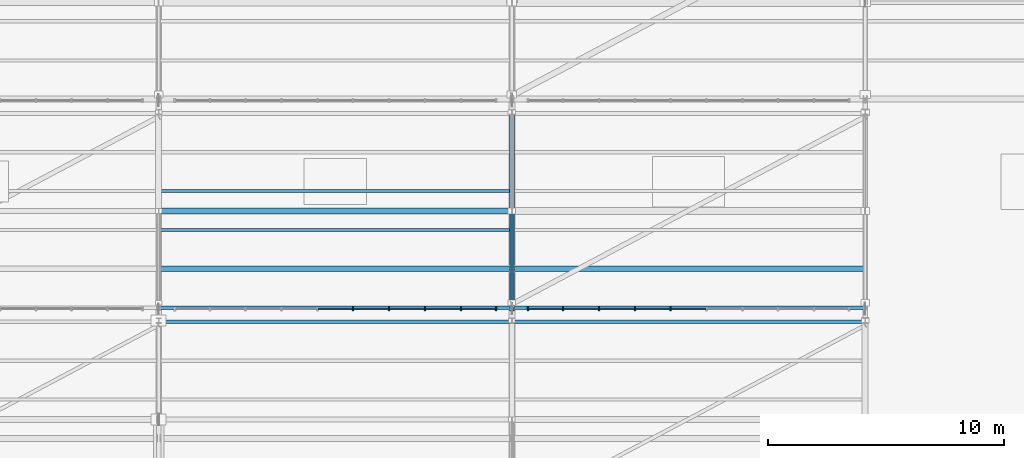
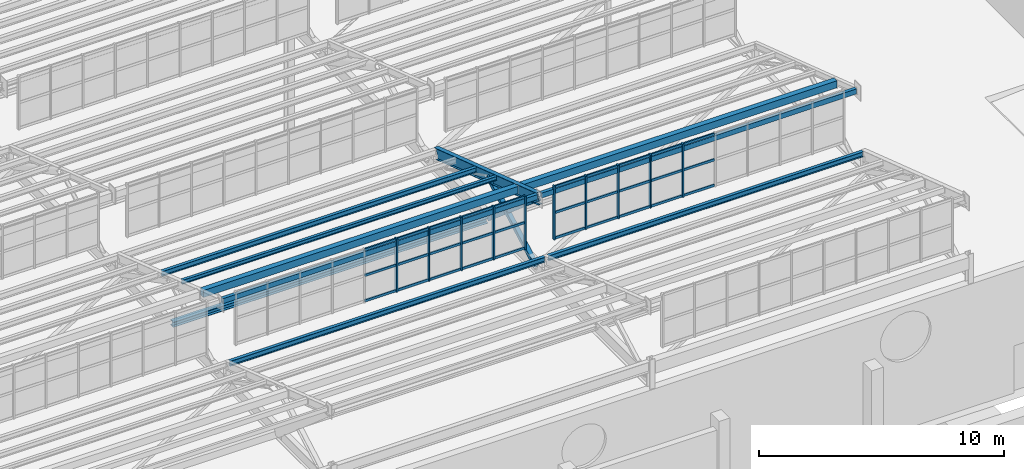
# One storey, part 86 of 285: 43 members, 9 beams, 2 elements without a shape of their own.
"""IFC4 building model written with IfcOpenShell, lengths in metres."""

from ifc_helpers import new_model, si_unit, direction, frame, origin, origin_2d, place, context, subcontext, project, spatial, rectangle, hollow_rectangle, i_section, extrude, material, material_profile, profile_set, type_object, element, aggregate, save


model = new_model("IFC4")

# Units and contexts
model_context = context("Model", 3, precision=1e-05, world=origin(), true_north=direction((0.0, 1.0)))
body_context = subcontext(model_context, "Body", "Model", "MODEL_VIEW")
ifc_project = project(units=[si_unit("LENGTHUNIT", "METRE"), si_unit("AREAUNIT", "SQUARE_METRE"), si_unit("VOLUMEUNIT", "CUBIC_METRE"), si_unit("PLANEANGLEUNIT", "RADIAN"), si_unit("MASSUNIT", "GRAM", prefix="KILO")], contexts=[model_context])

# Site, building, storey
site_placement = place(None, origin())
site = spatial("IfcSite", under=ifc_project, at=site_placement, CompositionType="ELEMENT")
building_placement = place(site_placement, origin())
building = spatial("IfcBuilding", under=site, at=building_placement, Name="Solanera Park Tramway Depot", CompositionType="ELEMENT")
storey_placement = place(building_placement, origin())
storey = spatial("IfcBuildingStorey", under=building, at=storey_placement, Name="L00", CompositionType="ELEMENT", Elevation=0.0)

# Curtain wall, members
ifc_material_1 = material(Name="Bronze-anodised thermally broken aluminium curtain wall", Category="aluminium")
curtain_wall_type = type_object("IfcCurtainWallType", Name="Sawtooth Clerestory Monitor Curtain Wall", PredefinedType="NOTDEFINED", material=ifc_material_1)
curtain_wall_1_placement = place(storey_placement, origin())
curtain_wall_1 = element("IfcCurtainWall", 1, at=curtain_wall_1_placement, inside=storey, type_object=curtain_wall_type, Name="L00 Sawtooth Clerestory Monitor Curtain Wall #010", PredefinedType="NOTDEFINED")
ifc_material_2 = material(Name="Bronze-anodised structural aluminium 6063-T6", Category="aluminium")
ifc_material_profile_1 = material_profile(ifc_material_2, rectangle(XDim=0.06494140625, YDim=0.14990234375, at=origin_2d()), Name="Curtain Wall Mullion 65x150")
ifc_profile_set_1 = profile_set([ifc_material_profile_1], Name="Bronze-anodised structural aluminium 6063-T6")
member_type_1 = type_object("IfcMemberType", Name="Curtain Wall Mullion 65x150", PredefinedType="MULLION", material=ifc_profile_set_1)
member_1_placement = place(storey_placement, frame((113.260986328125, 64.60009765625, 7.75), z_axis=(0.0, 0.0, 1.0), x_axis=(1.0, 0.0, 0.0)))
member_1 = element("IfcMember", 2, at=member_1_placement, type_object=member_type_1, Name="CW-L00-010 Mullion 6", PredefinedType="MULLION", context=body_context, shape_type="SweptSolid", body=[
    extrude(rectangle(XDim=0.06494140625, YDim=0.14990234375, at=origin_2d()), origin(), (0.0, 0.0, 1.0), 2.6611328125),
])
member_2_placement = place(storey_placement, frame((114.783203125, 64.60009765625, 7.75), z_axis=(0.0, 0.0, 1.0), x_axis=(1.0, 0.0, 0.0)))
member_2 = element("IfcMember", 3, at=member_2_placement, type_object=member_type_1, Name="CW-L00-010 Mullion 7", PredefinedType="MULLION", context=body_context, shape_type="SweptSolid", body=[
    extrude(rectangle(XDim=0.06494140625, YDim=0.14990234375, at=origin_2d()), origin(), (0.0, 0.0, 1.0), 2.6611328125),
])
member_3_placement = place(storey_placement, frame((116.3056640625, 64.60009765625, 7.75), z_axis=(0.0, 0.0, 1.0), x_axis=(1.0, 0.0, 0.0)))
member_3 = element("IfcMember", 4, at=member_3_placement, type_object=member_type_1, Name="CW-L00-010 Mullion 8", PredefinedType="MULLION", context=body_context, shape_type="SweptSolid", body=[
    extrude(rectangle(XDim=0.06494140625, YDim=0.14990234375, at=origin_2d()), origin(), (0.0, 0.0, 1.0), 2.6611328125),
])
member_4_placement = place(storey_placement, frame((117.827880859375, 64.60009765625, 7.75), z_axis=(0.0, 0.0, 1.0), x_axis=(1.0, 0.0, 0.0)))
member_4 = element("IfcMember", 5, at=member_4_placement, type_object=member_type_1, Name="CW-L00-010 Mullion 9", PredefinedType="MULLION", context=body_context, shape_type="SweptSolid", body=[
    extrude(rectangle(XDim=0.06494140625, YDim=0.14990234375, at=origin_2d()), origin(), (0.0, 0.0, 1.0), 2.6611328125),
])
member_5_placement = place(storey_placement, frame((119.3173828125, 64.60009765625, 7.75), z_axis=(0.0, 0.0, 1.0), x_axis=(1.0, 0.0, 0.0)))
member_5 = element("IfcMember", 6, at=member_5_placement, type_object=member_type_1, Name="CW-L00-010 Mullion 10", PredefinedType="MULLION", context=body_context, shape_type="SweptSolid", body=[
    extrude(rectangle(XDim=0.06494140625, YDim=0.14990234375, at=origin_2d()), origin(), (0.0, 0.0, 1.0), 2.6611328125),
])

curtain_wall_2_placement = place(storey_placement, origin())
curtain_wall_2 = element("IfcCurtainWall", 7, at=curtain_wall_2_placement, inside=storey, type_object=curtain_wall_type, Name="L00 Sawtooth Clerestory Monitor Curtain Wall #011", PredefinedType="NOTDEFINED")
member_6_placement = place(storey_placement, frame((120.6826171875, 64.60009765625, 7.75), z_axis=(0.0, 0.0, 1.0), x_axis=(1.0, 0.0, 0.0)))
member_6 = element("IfcMember", 8, at=member_6_placement, type_object=member_type_1, Name="CW-L00-011 Mullion 1", PredefinedType="MULLION", context=body_context, shape_type="SweptSolid", body=[
    extrude(rectangle(XDim=0.06494140625, YDim=0.14990234375, at=origin_2d()), origin(), (0.0, 0.0, 1.0), 2.6611328125),
])
member_7_placement = place(storey_placement, frame((122.172119140625, 64.60009765625, 7.75), z_axis=(0.0, 0.0, 1.0), x_axis=(1.0, 0.0, 0.0)))
member_7 = element("IfcMember", 9, at=member_7_placement, type_object=member_type_1, Name="CW-L00-011 Mullion 2", PredefinedType="MULLION", context=body_context, shape_type="SweptSolid", body=[
    extrude(rectangle(XDim=0.06494140625, YDim=0.14990234375, at=origin_2d()), origin(), (0.0, 0.0, 1.0), 2.6611328125),
])
member_8_placement = place(storey_placement, frame((123.6943359375, 64.60009765625, 7.75), z_axis=(0.0, 0.0, 1.0), x_axis=(1.0, 0.0, 0.0)))
member_8 = element("IfcMember", 10, at=member_8_placement, type_object=member_type_1, Name="CW-L00-011 Mullion 3", PredefinedType="MULLION", context=body_context, shape_type="SweptSolid", body=[
    extrude(rectangle(XDim=0.06494140625, YDim=0.14990234375, at=origin_2d()), origin(), (0.0, 0.0, 1.0), 2.6611328125),
])
member_9_placement = place(storey_placement, frame((125.216796875, 64.60009765625, 7.75), z_axis=(0.0, 0.0, 1.0), x_axis=(1.0, 0.0, 0.0)))
member_9 = element("IfcMember", 11, at=member_9_placement, type_object=member_type_1, Name="CW-L00-011 Mullion 4", PredefinedType="MULLION", context=body_context, shape_type="SweptSolid", body=[
    extrude(rectangle(XDim=0.06494140625, YDim=0.14990234375, at=origin_2d()), origin(), (0.0, 0.0, 1.0), 2.6611328125),
])
member_10_placement = place(storey_placement, frame((126.739013671875, 64.60009765625, 7.75), z_axis=(0.0, 0.0, 1.0), x_axis=(1.0, 0.0, 0.0)))
member_10 = element("IfcMember", 12, at=member_10_placement, type_object=member_type_1, Name="CW-L00-011 Mullion 5", PredefinedType="MULLION", context=body_context, shape_type="SweptSolid", body=[
    extrude(rectangle(XDim=0.06494140625, YDim=0.14990234375, at=origin_2d()), origin(), (0.0, 0.0, 1.0), 2.6611328125),
])

# Member
ifc_material_3 = material(Name="Bronze-anodised structural aluminium 6063-T6", Category="aluminium")
ifc_material_profile_2 = material_profile(ifc_material_3, rectangle(XDim=0.06494140625, YDim=0.1201171875, at=origin_2d()), Name="Curtain Wall Transom 65x120")
ifc_profile_set_2 = profile_set([ifc_material_profile_2], Name="Bronze-anodised structural aluminium 6063-T6")
member_type_2 = type_object("IfcMemberType", Name="Curtain Wall Transom 65x120", PredefinedType="USERDEFINED", material=ifc_profile_set_2)
member_11_placement = place(storey_placement, frame((111.766845703125, 64.60009765625, 7.81005859375), z_axis=(1.0, 0.0, 0.0), x_axis=(0.0, 1.0, 0.0)))
member_11 = element("IfcMember", 13, at=member_11_placement, type_object=member_type_2, Name="CW-L00-010 Transom R1.C5", ObjectType="TRANSOM", PredefinedType="USERDEFINED", context=body_context, shape_type="SweptSolid", body=[
    extrude(rectangle(XDim=0.06494140625, YDim=0.1201171875, at=origin_2d()), origin(), (0.0, 0.0, 1.0), 1.46630859375),
])

member_12_placement = place(storey_placement, frame((113.2890625, 64.60009765625, 7.81005859375), z_axis=(1.0, 0.0, 0.0), x_axis=(0.0, 1.0, 0.0)))
member_12 = element("IfcMember", 14, at=member_12_placement, type_object=member_type_2, Name="CW-L00-010 Transom R1.C6", ObjectType="TRANSOM", PredefinedType="USERDEFINED", context=body_context, shape_type="SweptSolid", body=[
    extrude(rectangle(XDim=0.06494140625, YDim=0.1201171875, at=origin_2d()), origin(), (0.0, 0.0, 1.0), 1.46630859375),
])

member_13_placement = place(storey_placement, frame((114.811279296875, 64.60009765625, 7.81005859375), z_axis=(1.0, 0.0, 0.0), x_axis=(0.0, 1.0, 0.0)))
member_13 = element("IfcMember", 15, at=member_13_placement, type_object=member_type_2, Name="CW-L00-010 Transom R1.C7", ObjectType="TRANSOM", PredefinedType="USERDEFINED", context=body_context, shape_type="SweptSolid", body=[
    extrude(rectangle(XDim=0.06494140625, YDim=0.1201171875, at=origin_2d()), origin(), (0.0, 0.0, 1.0), 1.46630859375),
])

member_14_placement = place(storey_placement, frame((116.33349609375, 64.60009765625, 7.81005859375), z_axis=(1.0, 0.0, 0.0), x_axis=(0.0, 1.0, 0.0)))
member_14 = element("IfcMember", 16, at=member_14_placement, type_object=member_type_2, Name="CW-L00-010 Transom R1.C8", ObjectType="TRANSOM", PredefinedType="USERDEFINED", context=body_context, shape_type="SweptSolid", body=[
    extrude(rectangle(XDim=0.06494140625, YDim=0.1201171875, at=origin_2d()), origin(), (0.0, 0.0, 1.0), 1.46630859375),
])

member_15_placement = place(storey_placement, frame((117.855712890625, 64.60009765625, 7.81005859375), z_axis=(1.0, 0.0, 0.0), x_axis=(0.0, 1.0, 0.0)))
member_15 = element("IfcMember", 17, at=member_15_placement, type_object=member_type_2, Name="CW-L00-010 Transom R1.C9", ObjectType="TRANSOM", PredefinedType="USERDEFINED", context=body_context, shape_type="SweptSolid", body=[
    extrude(rectangle(XDim=0.06494140625, YDim=0.1201171875, at=origin_2d()), origin(), (0.0, 0.0, 1.0), 1.433837890625),
])

member_16_placement = place(storey_placement, frame((111.766845703125, 64.60009765625, 9.08056640625), z_axis=(1.0, 0.0, 0.0), x_axis=(0.0, 1.0, 0.0)))
member_16 = element("IfcMember", 18, at=member_16_placement, type_object=member_type_2, Name="CW-L00-010 Transom R2.C5", ObjectType="TRANSOM", PredefinedType="USERDEFINED", context=body_context, shape_type="SweptSolid", body=[
    extrude(rectangle(XDim=0.06494140625, YDim=0.1201171875, at=origin_2d()), origin(), (0.0, 0.0, 1.0), 1.46630859375),
])

member_17_placement = place(storey_placement, frame((113.2890625, 64.60009765625, 9.08056640625), z_axis=(1.0, 0.0, 0.0), x_axis=(0.0, 1.0, 0.0)))
member_17 = element("IfcMember", 19, at=member_17_placement, type_object=member_type_2, Name="CW-L00-010 Transom R2.C6", ObjectType="TRANSOM", PredefinedType="USERDEFINED", context=body_context, shape_type="SweptSolid", body=[
    extrude(rectangle(XDim=0.06494140625, YDim=0.1201171875, at=origin_2d()), origin(), (0.0, 0.0, 1.0), 1.46630859375),
])

member_18_placement = place(storey_placement, frame((114.811279296875, 64.60009765625, 9.08056640625), z_axis=(1.0, 0.0, 0.0), x_axis=(0.0, 1.0, 0.0)))
member_18 = element("IfcMember", 20, at=member_18_placement, type_object=member_type_2, Name="CW-L00-010 Transom R2.C7", ObjectType="TRANSOM", PredefinedType="USERDEFINED", context=body_context, shape_type="SweptSolid", body=[
    extrude(rectangle(XDim=0.06494140625, YDim=0.1201171875, at=origin_2d()), origin(), (0.0, 0.0, 1.0), 1.46630859375),
])

member_19_placement = place(storey_placement, frame((116.33349609375, 64.60009765625, 9.08056640625), z_axis=(1.0, 0.0, 0.0), x_axis=(0.0, 1.0, 0.0)))
member_19 = element("IfcMember", 21, at=member_19_placement, type_object=member_type_2, Name="CW-L00-010 Transom R2.C8", ObjectType="TRANSOM", PredefinedType="USERDEFINED", context=body_context, shape_type="SweptSolid", body=[
    extrude(rectangle(XDim=0.06494140625, YDim=0.1201171875, at=origin_2d()), origin(), (0.0, 0.0, 1.0), 1.46630859375),
])

member_20_placement = place(storey_placement, frame((117.855712890625, 64.60009765625, 9.08056640625), z_axis=(1.0, 0.0, 0.0), x_axis=(0.0, 1.0, 0.0)))
member_20 = element("IfcMember", 22, at=member_20_placement, type_object=member_type_2, Name="CW-L00-010 Transom R2.C9", ObjectType="TRANSOM", PredefinedType="USERDEFINED", context=body_context, shape_type="SweptSolid", body=[
    extrude(rectangle(XDim=0.06494140625, YDim=0.1201171875, at=origin_2d()), origin(), (0.0, 0.0, 1.0), 1.433837890625),
])

member_21_placement = place(storey_placement, frame((111.766845703125, 64.60009765625, 10.351318359375), z_axis=(1.0, 0.0, 0.0), x_axis=(0.0, 1.0, 0.0)))
member_21 = element("IfcMember", 23, at=member_21_placement, type_object=member_type_2, Name="CW-L00-010 Transom R3.C5", ObjectType="TRANSOM", PredefinedType="USERDEFINED", context=body_context, shape_type="SweptSolid", body=[
    extrude(rectangle(XDim=0.06494140625, YDim=0.1201171875, at=origin_2d()), origin(), (0.0, 0.0, 1.0), 1.46630859375),
])

member_22_placement = place(storey_placement, frame((113.2890625, 64.60009765625, 10.351318359375), z_axis=(1.0, 0.0, 0.0), x_axis=(0.0, 1.0, 0.0)))
member_22 = element("IfcMember", 24, at=member_22_placement, type_object=member_type_2, Name="CW-L00-010 Transom R3.C6", ObjectType="TRANSOM", PredefinedType="USERDEFINED", context=body_context, shape_type="SweptSolid", body=[
    extrude(rectangle(XDim=0.06494140625, YDim=0.1201171875, at=origin_2d()), origin(), (0.0, 0.0, 1.0), 1.46630859375),
])

member_23_placement = place(storey_placement, frame((114.811279296875, 64.60009765625, 10.351318359375), z_axis=(1.0, 0.0, 0.0), x_axis=(0.0, 1.0, 0.0)))
member_23 = element("IfcMember", 25, at=member_23_placement, type_object=member_type_2, Name="CW-L00-010 Transom R3.C7", ObjectType="TRANSOM", PredefinedType="USERDEFINED", context=body_context, shape_type="SweptSolid", body=[
    extrude(rectangle(XDim=0.06494140625, YDim=0.1201171875, at=origin_2d()), origin(), (0.0, 0.0, 1.0), 1.46630859375),
])

member_24_placement = place(storey_placement, frame((116.33349609375, 64.60009765625, 10.351318359375), z_axis=(1.0, 0.0, 0.0), x_axis=(0.0, 1.0, 0.0)))
member_24 = element("IfcMember", 26, at=member_24_placement, type_object=member_type_2, Name="CW-L00-010 Transom R3.C8", ObjectType="TRANSOM", PredefinedType="USERDEFINED", context=body_context, shape_type="SweptSolid", body=[
    extrude(rectangle(XDim=0.06494140625, YDim=0.1201171875, at=origin_2d()), origin(), (0.0, 0.0, 1.0), 1.46630859375),
])

member_25_placement = place(storey_placement, frame((117.855712890625, 64.60009765625, 10.351318359375), z_axis=(1.0, 0.0, 0.0), x_axis=(0.0, 1.0, 0.0)))
member_25 = element("IfcMember", 27, at=member_25_placement, type_object=member_type_2, Name="CW-L00-010 Transom R3.C9", ObjectType="TRANSOM", PredefinedType="USERDEFINED", context=body_context, shape_type="SweptSolid", body=[
    extrude(rectangle(XDim=0.06494140625, YDim=0.1201171875, at=origin_2d()), origin(), (0.0, 0.0, 1.0), 1.433837890625),
])

aggregate(curtain_wall_1, [member_1, member_2, member_3, member_4, member_5, member_11, member_12, member_13, member_14, member_15, member_16, member_17, member_18, member_19, member_20, member_21, member_22, member_23, member_24, member_25])

member_26_placement = place(storey_placement, frame((120.71044921875, 64.60009765625, 7.81005859375), z_axis=(1.0, 0.0, 0.0), x_axis=(0.0, 1.0, 0.0)))
member_26 = element("IfcMember", 28, at=member_26_placement, type_object=member_type_2, Name="CW-L00-011 Transom R1.C1", ObjectType="TRANSOM", PredefinedType="USERDEFINED", context=body_context, shape_type="SweptSolid", body=[
    extrude(rectangle(XDim=0.06494140625, YDim=0.1201171875, at=origin_2d()), origin(), (0.0, 0.0, 1.0), 1.433837890625),
])

member_27_placement = place(storey_placement, frame((122.2001953125, 64.60009765625, 7.81005859375), z_axis=(1.0, 0.0, 0.0), x_axis=(0.0, 1.0, 0.0)))
member_27 = element("IfcMember", 29, at=member_27_placement, type_object=member_type_2, Name="CW-L00-011 Transom R1.C2", ObjectType="TRANSOM", PredefinedType="USERDEFINED", context=body_context, shape_type="SweptSolid", body=[
    extrude(rectangle(XDim=0.06494140625, YDim=0.1201171875, at=origin_2d()), origin(), (0.0, 0.0, 1.0), 1.46630859375),
])

member_28_placement = place(storey_placement, frame((123.722412109375, 64.60009765625, 7.81005859375), z_axis=(1.0, 0.0, 0.0), x_axis=(0.0, 1.0, 0.0)))
member_28 = element("IfcMember", 30, at=member_28_placement, type_object=member_type_2, Name="CW-L00-011 Transom R1.C3", ObjectType="TRANSOM", PredefinedType="USERDEFINED", context=body_context, shape_type="SweptSolid", body=[
    extrude(rectangle(XDim=0.06494140625, YDim=0.1201171875, at=origin_2d()), origin(), (0.0, 0.0, 1.0), 1.46630859375),
])

member_29_placement = place(storey_placement, frame((125.24462890625, 64.60009765625, 7.81005859375), z_axis=(1.0, 0.0, 0.0), x_axis=(0.0, 1.0, 0.0)))
member_29 = element("IfcMember", 31, at=member_29_placement, type_object=member_type_2, Name="CW-L00-011 Transom R1.C4", ObjectType="TRANSOM", PredefinedType="USERDEFINED", context=body_context, shape_type="SweptSolid", body=[
    extrude(rectangle(XDim=0.06494140625, YDim=0.1201171875, at=origin_2d()), origin(), (0.0, 0.0, 1.0), 1.46630859375),
])

member_30_placement = place(storey_placement, frame((126.766845703125, 64.60009765625, 7.81005859375), z_axis=(1.0, 0.0, 0.0), x_axis=(0.0, 1.0, 0.0)))
member_30 = element("IfcMember", 32, at=member_30_placement, type_object=member_type_2, Name="CW-L00-011 Transom R1.C5", ObjectType="TRANSOM", PredefinedType="USERDEFINED", context=body_context, shape_type="SweptSolid", body=[
    extrude(rectangle(XDim=0.06494140625, YDim=0.1201171875, at=origin_2d()), origin(), (0.0, 0.0, 1.0), 1.46630859375),
])

member_31_placement = place(storey_placement, frame((120.71044921875, 64.60009765625, 9.08056640625), z_axis=(1.0, 0.0, 0.0), x_axis=(0.0, 1.0, 0.0)))
member_31 = element("IfcMember", 33, at=member_31_placement, type_object=member_type_2, Name="CW-L00-011 Transom R2.C1", ObjectType="TRANSOM", PredefinedType="USERDEFINED", context=body_context, shape_type="SweptSolid", body=[
    extrude(rectangle(XDim=0.06494140625, YDim=0.1201171875, at=origin_2d()), origin(), (0.0, 0.0, 1.0), 1.433837890625),
])

member_32_placement = place(storey_placement, frame((122.2001953125, 64.60009765625, 9.08056640625), z_axis=(1.0, 0.0, 0.0), x_axis=(0.0, 1.0, 0.0)))
member_32 = element("IfcMember", 34, at=member_32_placement, type_object=member_type_2, Name="CW-L00-011 Transom R2.C2", ObjectType="TRANSOM", PredefinedType="USERDEFINED", context=body_context, shape_type="SweptSolid", body=[
    extrude(rectangle(XDim=0.06494140625, YDim=0.1201171875, at=origin_2d()), origin(), (0.0, 0.0, 1.0), 1.46630859375),
])

member_33_placement = place(storey_placement, frame((123.722412109375, 64.60009765625, 9.08056640625), z_axis=(1.0, 0.0, 0.0), x_axis=(0.0, 1.0, 0.0)))
member_33 = element("IfcMember", 35, at=member_33_placement, type_object=member_type_2, Name="CW-L00-011 Transom R2.C3", ObjectType="TRANSOM", PredefinedType="USERDEFINED", context=body_context, shape_type="SweptSolid", body=[
    extrude(rectangle(XDim=0.06494140625, YDim=0.1201171875, at=origin_2d()), origin(), (0.0, 0.0, 1.0), 1.46630859375),
])

member_34_placement = place(storey_placement, frame((125.24462890625, 64.60009765625, 9.08056640625), z_axis=(1.0, 0.0, 0.0), x_axis=(0.0, 1.0, 0.0)))
member_34 = element("IfcMember", 36, at=member_34_placement, type_object=member_type_2, Name="CW-L00-011 Transom R2.C4", ObjectType="TRANSOM", PredefinedType="USERDEFINED", context=body_context, shape_type="SweptSolid", body=[
    extrude(rectangle(XDim=0.06494140625, YDim=0.1201171875, at=origin_2d()), origin(), (0.0, 0.0, 1.0), 1.46630859375),
])

member_35_placement = place(storey_placement, frame((126.766845703125, 64.60009765625, 9.08056640625), z_axis=(1.0, 0.0, 0.0), x_axis=(0.0, 1.0, 0.0)))
member_35 = element("IfcMember", 37, at=member_35_placement, type_object=member_type_2, Name="CW-L00-011 Transom R2.C5", ObjectType="TRANSOM", PredefinedType="USERDEFINED", context=body_context, shape_type="SweptSolid", body=[
    extrude(rectangle(XDim=0.06494140625, YDim=0.1201171875, at=origin_2d()), origin(), (0.0, 0.0, 1.0), 1.46630859375),
])

member_36_placement = place(storey_placement, frame((120.71044921875, 64.60009765625, 10.351318359375), z_axis=(1.0, 0.0, 0.0), x_axis=(0.0, 1.0, 0.0)))
member_36 = element("IfcMember", 38, at=member_36_placement, type_object=member_type_2, Name="CW-L00-011 Transom R3.C1", ObjectType="TRANSOM", PredefinedType="USERDEFINED", context=body_context, shape_type="SweptSolid", body=[
    extrude(rectangle(XDim=0.06494140625, YDim=0.1201171875, at=origin_2d()), origin(), (0.0, 0.0, 1.0), 1.433837890625),
])

member_37_placement = place(storey_placement, frame((122.2001953125, 64.60009765625, 10.351318359375), z_axis=(1.0, 0.0, 0.0), x_axis=(0.0, 1.0, 0.0)))
member_37 = element("IfcMember", 39, at=member_37_placement, type_object=member_type_2, Name="CW-L00-011 Transom R3.C2", ObjectType="TRANSOM", PredefinedType="USERDEFINED", context=body_context, shape_type="SweptSolid", body=[
    extrude(rectangle(XDim=0.06494140625, YDim=0.1201171875, at=origin_2d()), origin(), (0.0, 0.0, 1.0), 1.46630859375),
])

member_38_placement = place(storey_placement, frame((123.722412109375, 64.60009765625, 10.351318359375), z_axis=(1.0, 0.0, 0.0), x_axis=(0.0, 1.0, 0.0)))
member_38 = element("IfcMember", 40, at=member_38_placement, type_object=member_type_2, Name="CW-L00-011 Transom R3.C3", ObjectType="TRANSOM", PredefinedType="USERDEFINED", context=body_context, shape_type="SweptSolid", body=[
    extrude(rectangle(XDim=0.06494140625, YDim=0.1201171875, at=origin_2d()), origin(), (0.0, 0.0, 1.0), 1.46630859375),
])

member_39_placement = place(storey_placement, frame((125.24462890625, 64.60009765625, 10.351318359375), z_axis=(1.0, 0.0, 0.0), x_axis=(0.0, 1.0, 0.0)))
member_39 = element("IfcMember", 41, at=member_39_placement, type_object=member_type_2, Name="CW-L00-011 Transom R3.C4", ObjectType="TRANSOM", PredefinedType="USERDEFINED", context=body_context, shape_type="SweptSolid", body=[
    extrude(rectangle(XDim=0.06494140625, YDim=0.1201171875, at=origin_2d()), origin(), (0.0, 0.0, 1.0), 1.46630859375),
])

member_40_placement = place(storey_placement, frame((126.766845703125, 64.60009765625, 10.351318359375), z_axis=(1.0, 0.0, 0.0), x_axis=(0.0, 1.0, 0.0)))
member_40 = element("IfcMember", 42, at=member_40_placement, type_object=member_type_2, Name="CW-L00-011 Transom R3.C5", ObjectType="TRANSOM", PredefinedType="USERDEFINED", context=body_context, shape_type="SweptSolid", body=[
    extrude(rectangle(XDim=0.06494140625, YDim=0.1201171875, at=origin_2d()), origin(), (0.0, 0.0, 1.0), 1.46630859375),
])

aggregate(curtain_wall_2, [member_6, member_7, member_8, member_9, member_10, member_26, member_27, member_28, member_29, member_30, member_31, member_32, member_33, member_34, member_35, member_36, member_37, member_38, member_39, member_40])

# Members
ifc_material_4 = material(Name="Steel AS/NZS 1163 Grade C350L0", Category="steel")
ifc_material_profile_3 = material_profile(ifc_material_4, hollow_rectangle(XDim=0.199951171875, YDim=0.199951171875, WallThickness=0.008056640625, at=origin_2d()), Name="200x200x8.0 SHS")
ifc_profile_set_3 = profile_set([ifc_material_profile_3], Name="Steel AS/NZS 1163 Grade C350L0")
member_type_3 = type_object("IfcMemberType", Name="Roof Gantry Compression Strut 200x200x8.0 SHS", PredefinedType="STRUT", material=ifc_profile_set_3)
member_41_placement = place(storey_placement, frame((120.0, 64.85009765625, 6.5), z_axis=(0.0, 0.877666599941, 0.479271675929), x_axis=(-1.0, 0.0, 0.0)))
element("IfcMember", 43, at=member_41_placement, inside=storey, type_object=member_type_3, Name="Sawtooth ROOF TRUSS Strut 200x200x8.0 SHS #0069", PredefinedType="STRUT", context=body_context, shape_type="SweptSolid", body=[
    extrude(hollow_rectangle(XDim=0.199951171875, YDim=0.199951171875, WallThickness=0.008056640625, at=origin_2d()), origin(), (0.0, 0.0, 1.0), 4.443603515625),
])
ifc_material_5 = material(Name="Steel AS/NZS 3679.1 Grade 350", Category="steel")
ifc_material_profile_4 = material_profile(ifc_material_5, i_section(OverallWidth=0.25390625, OverallDepth=0.25390625, WebThickness=0.008544921875, FlangeThickness=0.01416015625, at=origin_2d()), Name="250UC72.9")
ifc_profile_set_4 = profile_set([ifc_material_profile_4], Name="Steel AS/NZS 3679.1 Grade 350")
member_type_4 = type_object("IfcMemberType", Name="Secondary Truss Chord 250UC72.9", PredefinedType="CHORD", material=ifc_profile_set_4)
member_42_placement = place(storey_placement, frame((105.087890625, 68.75, 6.5), z_axis=(1.0, 0.0, 0.0), x_axis=(0.0, 1.0, 0.0)))
element("IfcMember", 44, at=member_42_placement, inside=storey, type_object=member_type_4, Name="Sawtooth Longitudinal Tie Chord 250UC72.9 #0082", PredefinedType="CHORD", context=body_context, shape_type="SweptSolid", body=[
    extrude(i_section(OverallWidth=0.25390625, OverallDepth=0.25390625, WebThickness=0.008544921875, FlangeThickness=0.01416015625, at=origin_2d()), origin(), (0.0, 0.0, 1.0), 14.82421875),
])

# Beams
ifc_material_6 = material(Name="Steel AS/NZS 3679.1 Grade 350", Category="steel")
ifc_material_profile_5 = material_profile(ifc_material_6, i_section(OverallWidth=0.209228515625, OverallDepth=0.532958984375, WebThickness=0.01025390625, FlangeThickness=0.015625, at=origin_2d()), Name="530UB92.4")
ifc_profile_set_5 = profile_set([ifc_material_profile_5], Name="Steel AS/NZS 3679.1 Grade 350")
beam_type_1 = type_object("IfcBeamType", Name="Steel Beam 530UB92.4", PredefinedType="BEAM", material=ifc_profile_set_5)
beam_1_placement = place(storey_placement, frame((120.0, 64.60009765625, 10.018310546875), z_axis=(0.0, 0.948319437663, -0.317317261034), x_axis=(-1.0, 0.0, 0.0)))
element("IfcBeam", 45, at=beam_1_placement, inside=storey, type_object=beam_type_1, Name="Sawtooth ROOF TRUSS Top Rafter 530UB92.4 B02-T8", PredefinedType="BEAM", context=body_context, shape_type="SweptSolid", body=[
    extrude(i_section(OverallWidth=0.209228515625, OverallDepth=0.532958984375, WebThickness=0.01025390625, FlangeThickness=0.015625, at=origin_2d()), origin(), (0.0, 0.0, 1.0), 8.804931640625),
])
ifc_material_7 = material(Name="Steel AS/NZS 3679.1 Grade 350", Category="steel")
ifc_material_profile_6 = material_profile(ifc_material_7, i_section(OverallWidth=0.13330078125, OverallDepth=0.203125, WebThickness=0.005859375, FlangeThickness=0.0078125, at=origin_2d()), Name="200UB25.4")
ifc_profile_set_6 = profile_set([ifc_material_profile_6], Name="Steel AS/NZS 3679.1 Grade 350")
beam_type_2 = type_object("IfcBeamType", Name="Steel Joist Purlin 200UB25.4", PredefinedType="JOIST", material=ifc_profile_set_6)
beam_2_placement = place(storey_placement, frame((105.087158203125, 67.949951171875, 9.06201171875), z_axis=(1.0, 0.0, 0.0), x_axis=(0.0, 1.0, 0.0)))
element("IfcBeam", 46, at=beam_2_placement, inside=storey, type_object=beam_type_2, Name="Sawtooth Roof Purlin 200UB25.4 B02.3", PredefinedType="JOIST", context=body_context, shape_type="SweptSolid", body=[
    extrude(i_section(OverallWidth=0.13330078125, OverallDepth=0.203125, WebThickness=0.005859375, FlangeThickness=0.0078125, at=origin_2d()), origin(), (0.0, 0.0, 1.0), 14.816162109375),
])
ifc_material_8 = material(Name="Steel AS/NZS 3679.1 Grade 350", Category="steel")
ifc_material_profile_7 = material_profile(ifc_material_8, i_section(OverallWidth=0.14599609375, OverallDepth=0.251708984375, WebThickness=0.006103515625, FlangeThickness=0.008544921875, at=origin_2d()), Name="250UB31.4")
ifc_profile_set_7 = profile_set([ifc_material_profile_7], Name="Steel AS/NZS 3679.1 Grade 350")
beam_type_3 = type_object("IfcBeamType", Name="Steel Joist Purlin 250UB31.4", PredefinedType="JOIST", material=ifc_profile_set_7)
beam_3_placement = place(storey_placement, frame((105.087158203125, 69.60009765625, 8.483642578125), z_axis=(1.0, 0.0, 0.0), x_axis=(0.0, 1.0, 0.0)))
element("IfcBeam", 47, at=beam_3_placement, inside=storey, type_object=beam_type_3, Name="Sawtooth Roof Purlin 250UB31.4 B02.4", PredefinedType="JOIST", context=body_context, shape_type="SweptSolid", body=[
    extrude(i_section(OverallWidth=0.14599609375, OverallDepth=0.251708984375, WebThickness=0.006103515625, FlangeThickness=0.008544921875, at=origin_2d()), origin(), (0.0, 0.0, 1.0), 14.816162109375),
])
ifc_material_9 = material(Name="Steel AS/NZS 3679.1 Grade 350", Category="steel")
ifc_material_profile_8 = material_profile(ifc_material_9, i_section(OverallWidth=0.146484375, OverallDepth=0.256103515625, WebThickness=0.00634765625, FlangeThickness=0.010986328125, at=origin_2d()), Name="250UB37.3")
ifc_profile_set_8 = profile_set([ifc_material_profile_8], Name="Steel AS/NZS 3679.1 Grade 350")
beam_type_4 = type_object("IfcBeamType", Name="Steel Joist Purlin 250UB37.3", PredefinedType="JOIST", material=ifc_profile_set_8)
beam_4_placement = place(storey_placement, frame((105.080810546875, 64.050048828125, 7.377197265625), z_axis=(1.0, 0.0, 0.0), x_axis=(0.0, 1.0, 0.0)))
element("IfcBeam", 48, at=beam_4_placement, inside=storey, type_object=beam_type_4, Name="Sawtooth Roof Purlin 250UB37.3 B01.6", PredefinedType="JOIST", context=body_context, shape_type="SweptSolid", body=[
    extrude(i_section(OverallWidth=0.146484375, OverallDepth=0.256103515625, WebThickness=0.00634765625, FlangeThickness=0.010986328125, at=origin_2d()), origin(), (0.0, 0.0, 1.0), 14.83203125),
])
beam_5_placement = place(storey_placement, frame((120.087158203125, 64.050048828125, 7.377197265625), z_axis=(1.0, 0.0, 0.0), x_axis=(0.0, 1.0, 0.0)))
element("IfcBeam", 49, at=beam_5_placement, inside=storey, type_object=beam_type_4, Name="Sawtooth Roof Purlin 250UB37.3 B01.6", PredefinedType="JOIST", context=body_context, shape_type="SweptSolid", body=[
    extrude(i_section(OverallWidth=0.146484375, OverallDepth=0.256103515625, WebThickness=0.00634765625, FlangeThickness=0.010986328125, at=origin_2d()), origin(), (0.0, 0.0, 1.0), 14.816162109375),
])
ifc_material_10 = material(Name="Steel AS/NZS 1163 Grade C350L0", Category="steel")
ifc_material_profile_9 = material_profile(ifc_material_10, hollow_rectangle(XDim=0.14990234375, YDim=0.25, WallThickness=0.008056640625, at=origin_2d()), Name="250x150x8.0 RHS")
ifc_profile_set_9 = profile_set([ifc_material_profile_9], Name="Steel AS/NZS 1163 Grade C350L0")
beam_type_5 = type_object("IfcBeamType", Name="Steel Joist Purlin 250x150x8.0 RHS", PredefinedType="JOIST", material=ifc_profile_set_9)
beam_6_placement = place(storey_placement, frame((105.087158203125, 64.64990234375, 10.139892578125), z_axis=(1.0, 0.0, 0.0), x_axis=(0.0, 1.0, 0.0)))
element("IfcBeam", 50, at=beam_6_placement, inside=storey, type_object=beam_type_5, Name="Sawtooth Roof Purlin 250x150x8.0 RHS B02.1", PredefinedType="JOIST", context=body_context, shape_type="SweptSolid", body=[
    extrude(hollow_rectangle(XDim=0.14990234375, YDim=0.25, WallThickness=0.008056640625, at=origin_2d()), origin(), (0.0, 0.0, 1.0), 14.816162109375),
])
beam_7_placement = place(storey_placement, frame((120.0966796875, 64.64990234375, 10.139892578125), z_axis=(1.0, 0.0, 0.0), x_axis=(0.0, 1.0, 0.0)))
element("IfcBeam", 51, at=beam_7_placement, inside=storey, type_object=beam_type_5, Name="Sawtooth Roof Purlin 250x150x8.0 RHS B02.1", PredefinedType="JOIST", context=body_context, shape_type="SweptSolid", body=[
    extrude(hollow_rectangle(XDim=0.14990234375, YDim=0.25, WallThickness=0.008056640625, at=origin_2d()), origin(), (0.0, 0.0, 1.0), 14.828369140625),
])
ifc_material_11 = material(Name="Steel AS/NZS 1163 Grade C350L0", Category="steel")
ifc_material_profile_10 = material_profile(ifc_material_11, hollow_rectangle(XDim=0.25, YDim=0.35009765625, WallThickness=0.010009765625, at=origin_2d()), Name="350x250x10.0 RHS")
ifc_profile_set_10 = profile_set([ifc_material_profile_10], Name="Steel AS/NZS 1163 Grade C350L0")
beam_type_6 = type_object("IfcBeamType", Name="Steel Joist Purlin 350x250x10.0 RHS", PredefinedType="JOIST", material=ifc_profile_set_10)
beam_8_placement = place(storey_placement, frame((105.087158203125, 66.300048828125, 9.521240234375), z_axis=(1.0, 0.0, 0.0), x_axis=(0.0, 1.0, 0.0)))
element("IfcBeam", 52, at=beam_8_placement, inside=storey, type_object=beam_type_6, Name="Sawtooth Roof Purlin 350x250x10.0 RHS B02.2", PredefinedType="JOIST", context=body_context, shape_type="SweptSolid", body=[
    extrude(hollow_rectangle(XDim=0.25, YDim=0.35009765625, WallThickness=0.010009765625, at=origin_2d()), origin(), (0.0, 0.0, 1.0), 14.816162109375),
])
beam_9_placement = place(storey_placement, frame((120.0966796875, 66.300048828125, 9.521240234375), z_axis=(1.0, 0.0, 0.0), x_axis=(0.0, 1.0, 0.0)))
element("IfcBeam", 53, at=beam_9_placement, inside=storey, type_object=beam_type_6, Name="Sawtooth Roof Purlin 350x250x10.0 RHS B02.2", PredefinedType="JOIST", context=body_context, shape_type="SweptSolid", body=[
    extrude(hollow_rectangle(XDim=0.25, YDim=0.35009765625, WallThickness=0.010009765625, at=origin_2d()), origin(), (0.0, 0.0, 1.0), 14.828369140625),
])

# Member
ifc_material_12 = material(Name="Steel AS/NZS 1163 Grade C350L0", Category="steel")
ifc_material_profile_11 = material_profile(ifc_material_12, hollow_rectangle(XDim=0.10009765625, YDim=0.199951171875, WallThickness=0.006103515625, at=origin_2d()), Name="200x100x6.0 RHS")
ifc_profile_set_11 = profile_set([ifc_material_profile_11], Name="Steel AS/NZS 1163 Grade C350L0")
member_type_5 = type_object("IfcMemberType", Name="Truss and Frame Brace 200x100x6.0 RHS", PredefinedType="BRACE", material=ifc_profile_set_11)
member_43_placement = place(storey_placement, frame((120.0, 68.75, 6.5), z_axis=(0.0, -0.762764662408, 0.646676170724), x_axis=(1.0, 0.0, 0.0)))
element("IfcMember", 54, at=member_43_placement, inside=storey, type_object=member_type_5, Name="Sawtooth ROOF TRUSS Web Brace 200x100x6.0 RHS #0067", PredefinedType="BRACE", context=body_context, shape_type="SweptSolid", body=[
    extrude(hollow_rectangle(XDim=0.10009765625, YDim=0.199951171875, WallThickness=0.006103515625, at=origin_2d()), origin(), (0.0, 0.0, 1.0), 5.440673828125),
])

save(model, "model.ifc")
